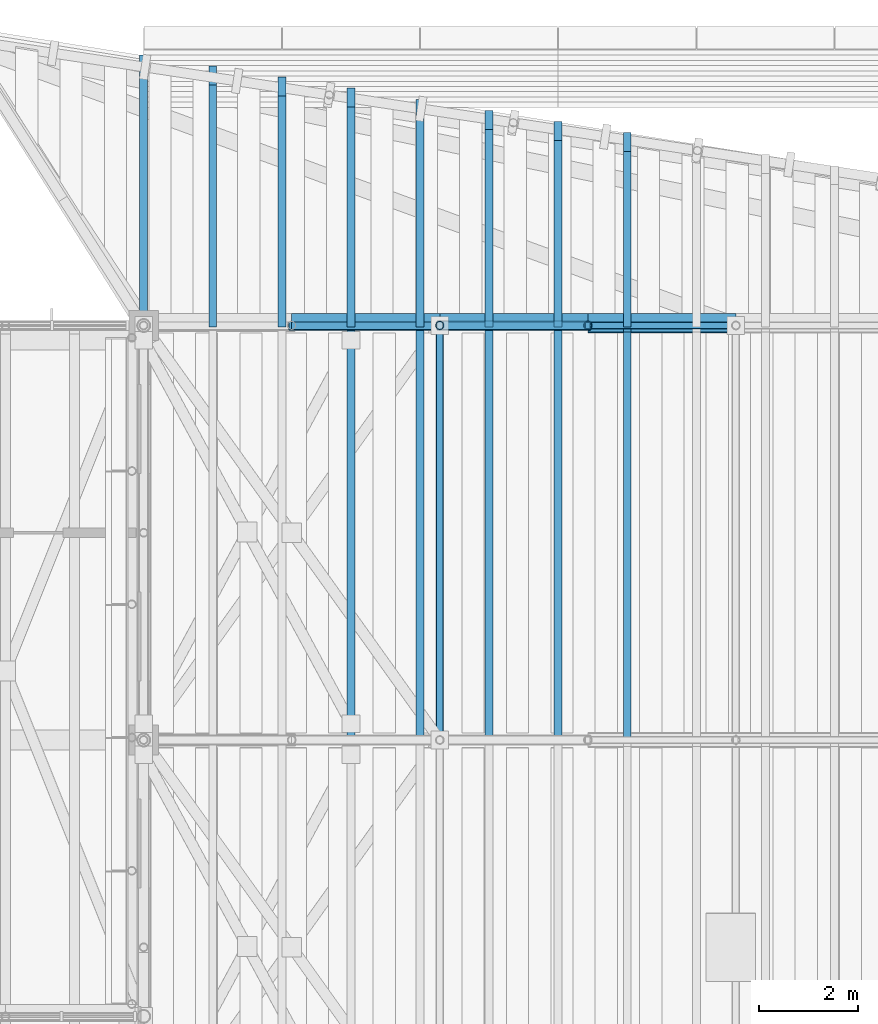
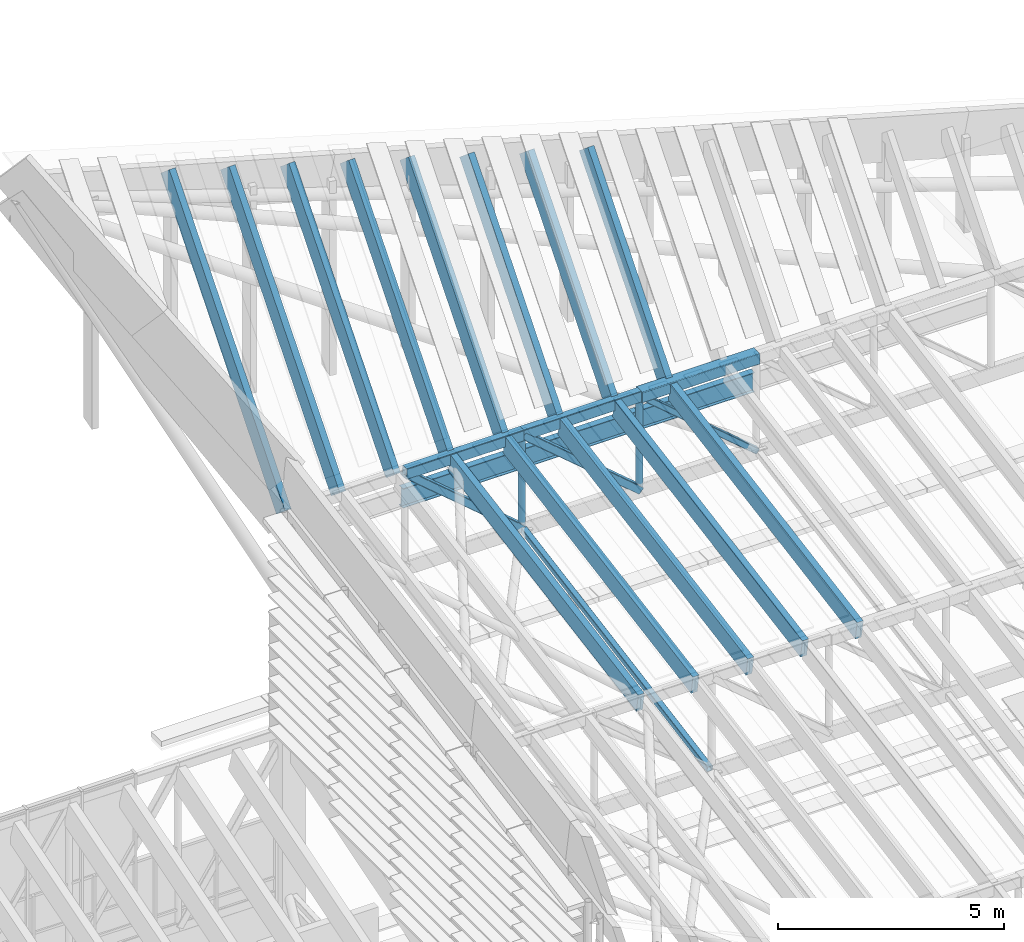
# One storey, part 39 of 91: 22 members, 3 beams.
"""IFC4 building model written with IfcOpenShell, lengths in metres."""

from ifc_helpers import new_model, si_unit, direction, frame, origin, origin_2d, place, context, subcontext, project, spatial, rectangle, hollow_rectangle, hollow_circle, i_section, extrude, material, material_profile, profile_set, type_object, element, save


model = new_model("IFC4")

# Units and contexts
model_context = context("Model", 3, precision=1e-05, world=origin(), true_north=direction((0.0, 1.0)))
body_context = subcontext(model_context, "Body", "Model", "MODEL_VIEW")
ifc_project = project(units=[si_unit("LENGTHUNIT", "METRE"), si_unit("AREAUNIT", "SQUARE_METRE"), si_unit("VOLUMEUNIT", "CUBIC_METRE"), si_unit("PLANEANGLEUNIT", "RADIAN"), si_unit("MASSUNIT", "GRAM", prefix="KILO")], contexts=[model_context])

# Site, building, storey
site_placement = place(None, origin())
site = spatial("IfcSite", under=ifc_project, at=site_placement, CompositionType="ELEMENT")
building_placement = place(site_placement, origin())
building = spatial("IfcBuilding", under=site, at=building_placement, Name="Almond Square Museum", CompositionType="ELEMENT")
storey_placement = place(building_placement, frame((0.0, 0.0, 30.0)))
storey = spatial("IfcBuildingStorey", under=building, at=storey_placement, Name="L05", CompositionType="ELEMENT", Elevation=30.0)

# Beams
ifc_material_1 = material(Name="Structural steel S355", Category="steel")
ifc_material_profile_1 = material_profile(ifc_material_1, i_section(OverallWidth=0.166015625, OverallDepth=0.528076171875, WebThickness=0.009765625, FlangeThickness=0.013671875, at=origin_2d()))
ifc_profile_set_1 = profile_set([ifc_material_profile_1], Name="Structural steel S355")
beam_type = type_object("IfcBeamType", Name="Eave beam W530x74", PredefinedType="BEAM", material=ifc_profile_set_1)
for number, where, z_axis, x_axis, name in (
    (1, (109.800048828125, 109.35791015625, 15.781005859375), (1.0, 0.0, 0.0), (0.0, 1.0, 0.0), "Prow edge beam"),
    (2, (112.800048828125, 109.35791015625, 15.781005859375), (1.0, 0.0, 0.0), (0.0, 1.0, 0.0), "Prow edge beam"),
    (3, (115.800048828125, 109.35791015625, 15.781005859375), (1.0, 0.0, 0.0), (0.0, 1.0, 0.0), "Prow edge beam"),
):
    element("IfcBeam", number, at=place(storey_placement, frame(where, z_axis=z_axis, x_axis=x_axis)), inside=storey, type_object=beam_type, Name=name, PredefinedType="BEAM", context=body_context, shape_type="SweptSolid", body=[
        extrude(i_section(OverallWidth=0.166015625, OverallDepth=0.528076171875, WebThickness=0.009765625, FlangeThickness=0.013671875, at=origin_2d()), origin(), (0.0, 0.0, 1.0), 3.0),
    ])

# Members
ifc_material_2 = material(Name="Glulam GL28h", Category="wood")
ifc_material_profile_2 = material_profile(ifc_material_2, rectangle(XDim=0.159912109375, YDim=0.5, at=origin_2d()))
ifc_profile_set_2 = profile_set([ifc_material_profile_2], Name="Glulam GL28h")
member_type_1 = type_object("IfcMemberType", Name="Glulam rafter GL28h 160x500", PredefinedType="RAFTER", material=ifc_profile_set_2)
for number, where, z_axis, x_axis, name in (
    (4, (111.0, 100.830078125, 14.969970703125), (0.0, 0.985030957185, 0.172377531562), (-1.0, 0.0, 0.0), "Hall rafter 7.4"),
    (5, (112.39990234375, 100.830078125, 14.969970703125), (0.0, 0.985030957185, 0.172377531562), (-1.0, 0.0, 0.0), "Hall rafter 7.5"),
    (6, (113.800048828125, 100.830078125, 14.969970703125), (0.0, 0.985030957185, 0.172377531562), (-1.0, 0.0, 0.0), "Hall rafter 7.6"),
    (7, (115.199951171875, 100.830078125, 14.969970703125), (0.0, 0.985030957185, 0.172377531562), (-1.0, 0.0, 0.0), "Hall rafter 7.7"),
):
    element("IfcMember", number, at=place(storey_placement, frame(where, z_axis=z_axis, x_axis=x_axis)), inside=storey, type_object=member_type_1, Name=name, PredefinedType="RAFTER", context=body_context, shape_type="SweptSolid", body=[
        extrude(rectangle(XDim=0.159912109375, YDim=0.5, at=origin_2d()), origin(), (0.0, 0.0, 1.0), 8.459716796875),
    ])
member_1_placement = place(storey_placement, frame((116.60009765625, 100.830078125, 14.969970703125), z_axis=(0.0, 0.985031576373, 0.172373993248), x_axis=(-1.0, 0.0, 0.0)))
element("IfcMember", 8, at=member_1_placement, inside=storey, type_object=member_type_1, Name="Hall rafter 7.8", PredefinedType="RAFTER", context=body_context, shape_type="SweptSolid", body=[
    extrude(rectangle(XDim=0.159912109375, YDim=0.5, at=origin_2d()), origin(), (0.0, 0.0, 1.0), 8.408935546875),
])
member_2_placement = place(storey_placement, frame((106.800048828125, 109.35791015625, 16.433837890625), z_axis=(0.0, 0.642806215239, 0.766028830822), x_axis=(-1.0, 0.0, 0.0)))
element("IfcMember", 9, at=member_2_placement, inside=storey, type_object=member_type_1, Name="Prow rafter 1", PredefinedType="RAFTER", context=body_context, shape_type="SweptSolid", body=[
    extrude(rectangle(XDim=0.159912109375, YDim=0.5, at=origin_2d()), origin(), (0.0, 0.0, 1.0), 7.984619140625),
])
member_3_placement = place(storey_placement, frame((108.199951171875, 109.35791015625, 16.433837890625), z_axis=(0.0, 0.642800559241, 0.766033576966), x_axis=(-1.0, 0.0, 0.0)))
element("IfcMember", 10, at=member_3_placement, inside=storey, type_object=member_type_1, Name="Prow rafter 2", PredefinedType="RAFTER", context=body_context, shape_type="SweptSolid", body=[
    extrude(rectangle(XDim=0.159912109375, YDim=0.5, at=origin_2d()), origin(), (0.0, 0.0, 1.0), 7.63525390625),
])
member_4_placement = place(storey_placement, frame((109.60009765625, 109.35791015625, 16.433837890625), z_axis=(0.0, 0.642810860866, 0.766024932461), x_axis=(-1.0, 0.0, 0.0)))
element("IfcMember", 11, at=member_4_placement, inside=storey, type_object=member_type_1, Name="Prow rafter 3", PredefinedType="RAFTER", context=body_context, shape_type="SweptSolid", body=[
    extrude(rectangle(XDim=0.159912109375, YDim=0.5, at=origin_2d()), origin(), (0.0, 0.0, 1.0), 7.28564453125),
])
member_5_placement = place(storey_placement, frame((111.0, 109.35791015625, 16.433837890625), z_axis=(0.0, 0.642804868994, 0.766029960509), x_axis=(-1.0, 0.0, 0.0)))
element("IfcMember", 12, at=member_5_placement, inside=storey, type_object=member_type_1, Name="Prow rafter 4", PredefinedType="RAFTER", context=body_context, shape_type="SweptSolid", body=[
    extrude(rectangle(XDim=0.159912109375, YDim=0.5, at=origin_2d()), origin(), (0.0, 0.0, 1.0), 6.936279296875),
])
member_6_placement = place(storey_placement, frame((112.39990234375, 109.35791015625, 16.433837890625), z_axis=(0.0, 0.6427982415, 0.766035521843), x_axis=(-1.0, 0.0, 0.0)))
element("IfcMember", 13, at=member_6_placement, inside=storey, type_object=member_type_1, Name="Prow rafter 5", PredefinedType="RAFTER", context=body_context, shape_type="SweptSolid", body=[
    extrude(rectangle(XDim=0.159912109375, YDim=0.5, at=origin_2d()), origin(), (0.0, 0.0, 1.0), 6.5869140625),
])
member_7_placement = place(storey_placement, frame((113.800048828125, 109.35791015625, 16.433837890625), z_axis=(0.0, 0.642810144509, 0.766025533593), x_axis=(-1.0, 0.0, 0.0)))
element("IfcMember", 14, at=member_7_placement, inside=storey, type_object=member_type_1, Name="Prow rafter 6", PredefinedType="RAFTER", context=body_context, shape_type="SweptSolid", body=[
    extrude(rectangle(XDim=0.159912109375, YDim=0.5, at=origin_2d()), origin(), (0.0, 0.0, 1.0), 6.237548828125),
])
member_8_placement = place(storey_placement, frame((115.199951171875, 109.35791015625, 16.433837890625), z_axis=(0.0, 0.642803043411, 0.766031492422), x_axis=(-1.0, 0.0, 0.0)))
element("IfcMember", 15, at=member_8_placement, inside=storey, type_object=member_type_1, Name="Prow rafter 7", PredefinedType="RAFTER", context=body_context, shape_type="SweptSolid", body=[
    extrude(rectangle(XDim=0.159912109375, YDim=0.5, at=origin_2d()), origin(), (0.0, 0.0, 1.0), 5.88818359375),
])
member_9_placement = place(storey_placement, frame((116.60009765625, 109.35791015625, 16.433837890625), z_axis=(0.0, 0.642795046458, 0.766038202866), x_axis=(-1.0, 0.0, 0.0)))
element("IfcMember", 16, at=member_9_placement, inside=storey, type_object=member_type_1, Name="Prow rafter 8", PredefinedType="RAFTER", context=body_context, shape_type="SweptSolid", body=[
    extrude(rectangle(XDim=0.159912109375, YDim=0.5, at=origin_2d()), origin(), (0.0, 0.0, 1.0), 5.538818359375),
])
ifc_material_3 = material(Name="Structural steel S355", Category="steel")
ifc_material_profile_3 = material_profile(ifc_material_3, hollow_rectangle(XDim=0.199951171875, YDim=0.300048828125, WallThickness=0.010009765625, InnerFilletRadius=0.014892578125, OuterFilletRadius=0.02490234375, at=origin_2d()))
ifc_profile_set_3 = profile_set([ifc_material_profile_3], Name="Structural steel S355")
member_type_2 = type_object("IfcMemberType", Name="Truss chord RHS 300x200x10", PredefinedType="CHORD", material=ifc_profile_set_3)
for number, where, z_axis, x_axis, name in (
    (17, (109.800048828125, 109.199951171875, 16.53857421875), (1.0, 0.0, 0.0), (0.0, 1.0, 0.0), "TR-08 top chord 2"),
    (18, (112.800048828125, 109.199951171875, 16.53857421875), (1.0, 0.0, 0.0), (0.0, 1.0, 0.0), "TR-08 top chord 3"),
):
    element("IfcMember", number, at=place(storey_placement, frame(where, z_axis=z_axis, x_axis=x_axis)), inside=storey, type_object=member_type_2, Name=name, PredefinedType="CHORD", context=body_context, shape_type="SweptSolid", body=[
        extrude(hollow_rectangle(XDim=0.199951171875, YDim=0.300048828125, WallThickness=0.010009765625, InnerFilletRadius=0.014892578125, OuterFilletRadius=0.02490234375, at=origin_2d()), origin(), (0.0, 0.0, 1.0), 3.0),
    ])
ifc_material_4 = material(Name="Structural steel S355", Category="steel")
ifc_material_profile_4 = material_profile(ifc_material_4, hollow_rectangle(XDim=0.300048828125, YDim=0.300048828125, WallThickness=0.012451171875, InnerFilletRadius=0.02490234375, OuterFilletRadius=0.03759765625, at=origin_2d()))
ifc_profile_set_4 = profile_set([ifc_material_profile_4], Name="Structural steel S355")
member_type_3 = type_object("IfcMemberType", Name="Truss chord SHS 300x300x12.5", PredefinedType="CHORD", material=ifc_profile_set_4)
member_10_placement = place(storey_placement, frame((115.800048828125, 109.199951171875, 16.53857421875), z_axis=(1.0, 0.0, 0.0), x_axis=(0.0, 1.0, 0.0)))
element("IfcMember", 19, at=member_10_placement, inside=storey, type_object=member_type_3, Name="TR-08 top chord 4", PredefinedType="CHORD", context=body_context, shape_type="SweptSolid", body=[
    extrude(hollow_rectangle(XDim=0.300048828125, YDim=0.300048828125, WallThickness=0.012451171875, InnerFilletRadius=0.02490234375, OuterFilletRadius=0.03759765625, at=origin_2d()), origin(), (0.0, 0.0, 1.0), 3.0),
])
ifc_material_5 = material(Name="Structural steel S355", Category="steel")
ifc_material_profile_5 = material_profile(ifc_material_5, hollow_rectangle(XDim=0.14990234375, YDim=0.14990234375, WallThickness=0.008056640625, InnerFilletRadius=0.011962890625, OuterFilletRadius=0.02001953125, at=origin_2d()))
ifc_profile_set_5 = profile_set([ifc_material_profile_5], Name="Structural steel S355")
member_type_4 = type_object("IfcMemberType", Name="Truss diagonal SHS 150x150x8", PredefinedType="BRACE", material=ifc_profile_set_5)
member_11_placement = place(storey_placement, frame((115.800048828125, 109.199951171875, 16.53857421875), z_axis=(0.762116801264, 0.0, -0.647439557975), x_axis=(0.0, 1.0, 0.0)))
element("IfcMember", 20, at=member_11_placement, inside=storey, type_object=member_type_4, Name="TR-08 diagonal 4", PredefinedType="BRACE", context=body_context, shape_type="SweptSolid", body=[
    extrude(hollow_rectangle(XDim=0.14990234375, YDim=0.14990234375, WallThickness=0.008056640625, InnerFilletRadius=0.011962890625, OuterFilletRadius=0.02001953125, at=origin_2d()), origin(), (0.0, 0.0, 1.0), 3.9365234375),
])
ifc_material_6 = material(Name="Structural steel S355", Category="steel")
ifc_material_profile_6 = material_profile(ifc_material_6, hollow_rectangle(XDim=0.199951171875, YDim=0.199951171875, WallThickness=0.010009765625, InnerFilletRadius=0.014892578125, OuterFilletRadius=0.02490234375, at=origin_2d()))
ifc_profile_set_6 = profile_set([ifc_material_profile_6], Name="Structural steel S355")
member_type_5 = type_object("IfcMemberType", Name="Truss diagonal SHS 200x200x10", PredefinedType="BRACE", material=ifc_profile_set_6)
for number, where, z_axis, x_axis, name in (
    (21, (109.800048828125, 109.199951171875, 16.53857421875), (0.762116801264, 0.0, -0.647439557975), (0.0, 1.0, 0.0), "TR-08 diagonal 2"),
    (22, (112.800048828125, 109.199951171875, 16.53857421875), (0.762116801264, 0.0, -0.647439557975), (0.0, 1.0, 0.0), "TR-08 diagonal 3"),
):
    element("IfcMember", number, at=place(storey_placement, frame(where, z_axis=z_axis, x_axis=x_axis)), inside=storey, type_object=member_type_5, Name=name, PredefinedType="BRACE", context=body_context, shape_type="SweptSolid", body=[
        extrude(hollow_rectangle(XDim=0.199951171875, YDim=0.199951171875, WallThickness=0.010009765625, InnerFilletRadius=0.014892578125, OuterFilletRadius=0.02490234375, at=origin_2d()), origin(), (0.0, 0.0, 1.0), 3.9365234375),
    ])
ifc_material_7 = material(Name="Structural steel S355", Category="steel")
ifc_material_profile_7 = material_profile(ifc_material_7, hollow_circle(Radius=0.084228515625, WallThickness=0.008056640625, at=origin_2d()))
ifc_profile_set_7 = profile_set([ifc_material_profile_7], Name="Structural steel S355")
member_type_6 = type_object("IfcMemberType", Name="Truss post CHS 168.3x8", PredefinedType="POST", material=ifc_profile_set_7)
for number, where, z_axis, x_axis, name in (
    (23, (112.800048828125, 109.199951171875, 13.989990234375), (0.0, 0.0, 1.0), (1.0, 0.0, 0.0), "TR-08 post 3"),
    (24, (115.800048828125, 109.199951171875, 13.989990234375), (0.0, 0.0, 1.0), (1.0, 0.0, 0.0), "TR-08 post 4"),
):
    element("IfcMember", number, at=place(storey_placement, frame(where, z_axis=z_axis, x_axis=x_axis)), inside=storey, type_object=member_type_6, Name=name, PredefinedType="POST", context=body_context, shape_type="SweptSolid", body=[
        extrude(hollow_circle(Radius=0.084228515625, WallThickness=0.008056640625, at=origin_2d()), origin(), (0.0, 0.0, 1.0), 2.548583984375),
    ])
ifc_material_8 = material(Name="Structural steel S355", Category="steel")
ifc_material_profile_8 = material_profile(ifc_material_8, hollow_rectangle(XDim=0.14990234375, YDim=0.14990234375, WallThickness=0.008056640625, InnerFilletRadius=0.011962890625, OuterFilletRadius=0.02001953125, at=origin_2d()))
ifc_profile_set_8 = profile_set([ifc_material_profile_8], Name="Structural steel S355")
member_type_7 = type_object("IfcMemberType", Name="Truss tie SHS 150x150x8", PredefinedType="MEMBER", material=ifc_profile_set_8)
member_12_placement = place(storey_placement, frame((112.800048828125, 100.875, 12.52001953125), z_axis=(0.0, 0.984494486924, 0.175415521596), x_axis=(-1.0, 0.0, 0.0)))
element("IfcMember", 25, at=member_12_placement, inside=storey, type_object=member_type_7, Name="Hall bay 7 tie 2", PredefinedType="MEMBER", context=body_context, shape_type="SweptSolid", body=[
    extrude(hollow_rectangle(XDim=0.14990234375, YDim=0.14990234375, WallThickness=0.008056640625, InnerFilletRadius=0.011962890625, OuterFilletRadius=0.02001953125, at=origin_2d()), origin(), (0.0, 0.0, 1.0), 8.3798828125),
])

save(model, "model.ifc")
